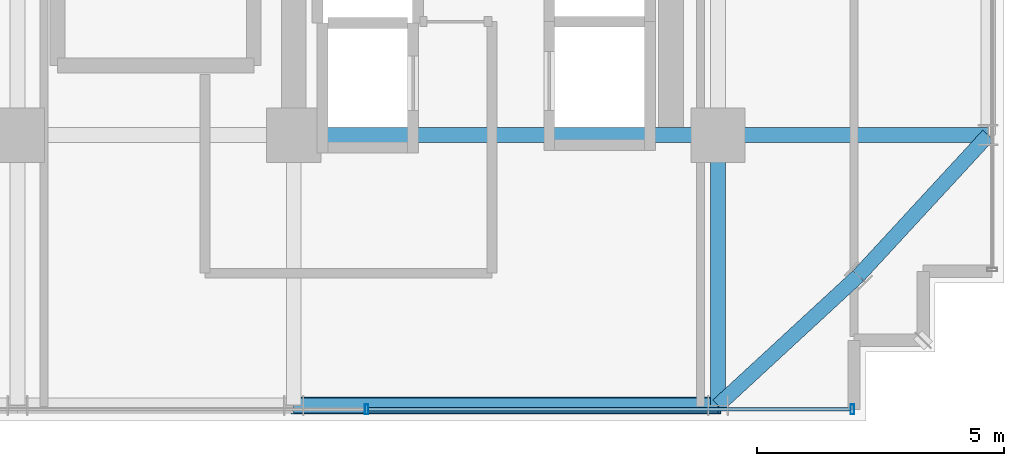
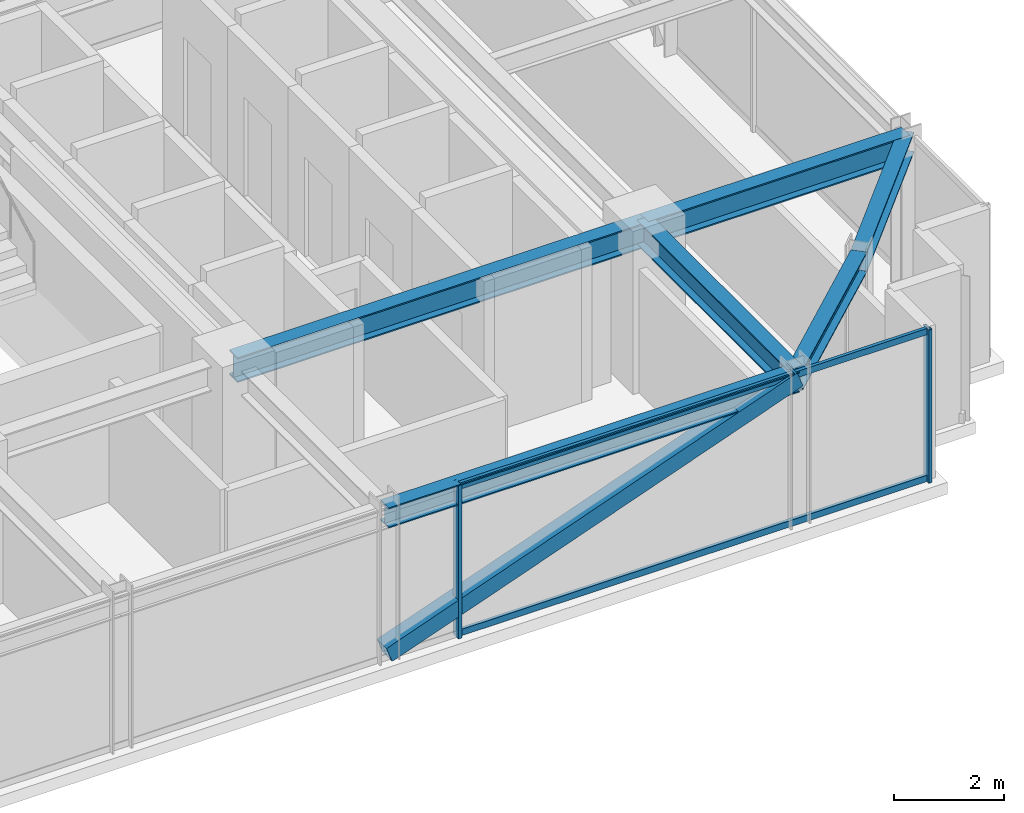
# One storey, part 14 of 43: 6 beams, 5 members, 1 element without a shape of its own.
"""IFC4 building model written with IfcOpenShell, lengths in metres."""

from ifc_helpers import new_model, si_unit, direction, frame, origin, origin_2d, place, context, subcontext, project, spatial, hollow_rectangle, i_section, extrude, source, transform, mapped, material, material_profile, profile_set, type_object, element, aggregate, save


model = new_model("IFC4")

# Units and contexts
model_context = context("Model", 3, precision=1e-05, world=origin(), true_north=direction((0.0, 1.0)))
body_context = subcontext(model_context, "Body", "Model", "MODEL_VIEW")
ifc_project = project(units=[si_unit("LENGTHUNIT", "METRE"), si_unit("AREAUNIT", "SQUARE_METRE"), si_unit("VOLUMEUNIT", "CUBIC_METRE"), si_unit("PLANEANGLEUNIT", "RADIAN"), si_unit("MASSUNIT", "GRAM", prefix="KILO")], contexts=[model_context])

# Site, building, storey
site_placement = place(None, origin())
site = spatial("IfcSite", under=ifc_project, at=site_placement, CompositionType="ELEMENT")
building_placement = place(site_placement, origin())
building = spatial("IfcBuilding", under=site, at=building_placement, Name="Nahalor Promenade Grand Hotel", CompositionType="ELEMENT")
storey_placement = place(building_placement, frame((0.0, 0.0, 181.85009765625)))
storey = spatial("IfcBuildingStorey", under=building, at=storey_placement, Name="L46", CompositionType="ELEMENT", Elevation=181.85009765625)

# Beams
ifc_material_1 = material(Name="Steel S355JR", Category="steel")
ifc_material_profile_1 = material_profile(ifc_material_1, i_section(OverallWidth=0.3, OverallDepth=0.55, WebThickness=0.015, FlangeThickness=0.029, at=origin_2d()), Name="HEB 550")
ifc_profile_set_1 = profile_set([ifc_material_profile_1], Name="Steel S355JR")
beam_type_1 = type_object("IfcBeamType", Name="Beam-Girder-HEB550", PredefinedType="BEAM", material=ifc_profile_set_1)
shared_shape_1 = source(origin(), body_context, "Body", "SweptSolid", [
    extrude(i_section(OverallWidth=0.3, OverallDepth=0.55, WebThickness=0.015, FlangeThickness=0.029, at=origin_2d()), origin(), (0.0, 0.0, 1.0), 8.60009765625),
])
beam_1_placement = place(storey_placement, frame((8.39990234375, -17.0, 3.114990234375), z_axis=(1.0, 0.0, 0.0), x_axis=(0.0, 1.0, 0.0)))
element("IfcBeam", 1, at=beam_1_placement, inside=storey, type_object=beam_type_1, Name="BM-L46-GX-0-5", PredefinedType="BEAM", context=body_context, shape_type="MappedRepresentation", body=[
    mapped(shared_shape_1, transform((0.0, 0.0, 0.0), scale=1.0)),
])
shared_shape_2 = source(origin(), body_context, "Body", "SweptSolid", [
    extrude(i_section(OverallWidth=0.3, OverallDepth=0.55, WebThickness=0.015, FlangeThickness=0.029, at=origin_2d()), origin(), (0.0, 0.0, 1.0), 5.47998046875),
])
for number, where, z_axis, x_axis, name in (
    (2, (17.0, -17.0, 3.114990234375), (1.0, 0.0, 0.0), (0.0, 1.0, 0.0), "BM-L46-GX-0-6"),
    (3, (17.0, -22.47998046875, 3.114990234375), (0.0, 1.0, 0.0), (-1.0, 0.0, 0.0), "BM-L46-GY-5-0"),
):
    element("IfcBeam", number, at=place(storey_placement, frame(where, z_axis=z_axis, x_axis=x_axis)), inside=storey, type_object=beam_type_1, Name=name, PredefinedType="BEAM", context=body_context, shape_type="MappedRepresentation", body=[
        mapped(shared_shape_2, transform((0.0, 0.0, 0.0), scale=1.0)),
    ])
ifc_material_profile_2 = material_profile(ifc_material_1, i_section(OverallWidth=0.3, OverallDepth=0.45, WebThickness=0.014, FlangeThickness=0.026, at=origin_2d()), Name="HEB 450")
ifc_profile_set_2 = profile_set([ifc_material_profile_2], Name="Steel S355JR")
beam_type_2 = type_object("IfcBeamType", Name="Beam-Spandrel-HEB450", PredefinedType="SPANDREL", material=ifc_profile_set_2)
shared_shape_3 = source(origin(), body_context, "Body", "SweptSolid", [
    extrude(i_section(OverallWidth=0.3, OverallDepth=0.45, WebThickness=0.014, FlangeThickness=0.026, at=origin_2d()), origin(), (0.0, 0.0, 1.0), 8.60009765625),
])
beam_2_placement = place(storey_placement, frame((8.39990234375, -22.47998046875, 3.164794921875), z_axis=(1.0, 0.0, 0.0), x_axis=(0.0, 1.0, 0.0)))
element("IfcBeam", 4, at=beam_2_placement, inside=storey, type_object=beam_type_2, Name="BM-L46-SP-S-4", PredefinedType="SPANDREL", context=body_context, shape_type="MappedRepresentation", body=[
    mapped(shared_shape_3, transform((0.0, 0.0, 0.0), scale=1.0)),
])
shared_shape_4 = source(origin(), body_context, "Body", "SweptSolid", [
    extrude(i_section(OverallWidth=0.3, OverallDepth=0.45, WebThickness=0.014, FlangeThickness=0.026, at=origin_2d()), origin(), (0.0, 0.0, 1.0), 3.878173828125),
])
for number, where, z_axis, x_axis, name in (
    (5, (17.0, -22.47998046875, 3.164794921875), (0.73492893846, 0.678144125843, 0.0), (-0.678144125843, 0.73492893846, 0.0), "BM-L46-SPC-SE-1"),
    (6, (19.85009765625, -19.85009765625, 3.164794921875), (0.678144125843, 0.73492893846, 0.0), (-0.73492893846, 0.678144125843, 0.0), "BM-L46-SPC-SE-2"),
):
    element("IfcBeam", number, at=place(storey_placement, frame(where, z_axis=z_axis, x_axis=x_axis)), inside=storey, type_object=beam_type_2, Name=name, PredefinedType="SPANDREL", context=body_context, shape_type="MappedRepresentation", body=[
        mapped(shared_shape_4, transform((0.0, 0.0, 0.0), scale=1.0)),
    ])

# Member
ifc_material_profile_3 = material_profile(ifc_material_1, hollow_rectangle(XDim=0.35, YDim=0.35, WallThickness=0.02, at=origin_2d()), Name="SHS 350x350x20")
ifc_profile_set_3 = profile_set([ifc_material_profile_3], Name="Steel S355JR")
member_type_1 = type_object("IfcMemberType", Name="Mem-VoidBrace-SHS350", PredefinedType="BRACE", material=ifc_profile_set_3)
shared_shape_5 = source(origin(), body_context, "Body", "SweptSolid", [
    extrude(hollow_rectangle(XDim=0.35, YDim=0.35, WallThickness=0.02, at=origin_2d()), origin(), (0.0, 0.0, 1.0), 9.138427734375),
])
member_1_placement = place(storey_placement, frame((8.39990234375, -22.47998046875, 0.14990234375), z_axis=(0.941094643271, 0.0, 0.338143272012), x_axis=(0.0, 1.0, 0.0)))
element("IfcMember", 7, at=member_1_placement, inside=storey, type_object=member_type_1, Name="EXO-L46-S-1", PredefinedType="BRACE", context=body_context, shape_type="MappedRepresentation", body=[
    mapped(shared_shape_5, transform((0.0, 0.0, 0.0), scale=1.0)),
])

# Curtain wall, members
ifc_material_2 = material(Name="Anodised Bronze Aluminium EN AW-6063 T6", Category="aluminium")
curtain_wall_type = type_object("IfcCurtainWallType", Name="CW3 Elliptical-Void Collar Unitised Curtain Wall", PredefinedType="USERDEFINED", material=ifc_material_2)
curtain_wall_placement = place(storey_placement, origin())
curtain_wall = element("IfcCurtainWall", 8, at=curtain_wall_placement, inside=storey, type_object=curtain_wall_type, Name="L46 Curtain Wall CW-L46-S-1", ObjectType="UNITISED_CURTAIN_WALL", PredefinedType="USERDEFINED")
ifc_material_profile_4 = material_profile(ifc_material_2, hollow_rectangle(XDim=0.07, YDim=0.14, WallThickness=0.004, at=origin_2d()), Name="CWT 70x140x4")
ifc_profile_set_4 = profile_set([ifc_material_profile_4], Name="Anodised Bronze Aluminium EN AW-6063 T6")
member_type_2 = type_object("IfcMemberType", Name="CWT3 Void Collar Transom 70x140", PredefinedType="USERDEFINED", material=ifc_profile_set_4)
shared_shape_6 = source(origin(), body_context, "Body", "SweptSolid", [
    extrude(hollow_rectangle(XDim=0.07, YDim=0.14, WallThickness=0.004, at=origin_2d()), origin(), (0.0, 0.0, 1.0), 9.77490234375),
])
member_2_placement = place(storey_placement, frame((9.9150390625, -22.56005859375, 0.06982421875), z_axis=(1.0, 0.0, 0.0), x_axis=(0.0, 1.0, 0.0)))
member_2 = element("IfcMember", 9, at=member_2_placement, type_object=member_type_2, Name="CW-L46-S-1 Transom 3-0", ObjectType="TRANSOM", PredefinedType="USERDEFINED", context=body_context, shape_type="MappedRepresentation", body=[
    mapped(shared_shape_6, transform((0.0, 0.0, 0.0), scale=1.0)),
])
member_3_placement = place(storey_placement, frame((9.9150390625, -22.56005859375, 3.31982421875), z_axis=(1.0, 0.0, 0.0), x_axis=(0.0, 1.0, 0.0)))
member_3 = element("IfcMember", 10, at=member_3_placement, type_object=member_type_2, Name="CW-L46-S-1 Transom 3-1", ObjectType="TRANSOM", PredefinedType="USERDEFINED", context=body_context, shape_type="MappedRepresentation", body=[
    mapped(shared_shape_6, transform((0.0, 0.0, 0.0), scale=1.0)),
])
ifc_material_profile_5 = material_profile(ifc_material_2, hollow_rectangle(XDim=0.07, YDim=0.2, WallThickness=0.005, at=origin_2d()), Name="CWM 70x200x5")
ifc_profile_set_5 = profile_set([ifc_material_profile_5], Name="Anodised Bronze Aluminium EN AW-6063 T6")
member_type_3 = type_object("IfcMemberType", Name="CWM3 Void Collar Mullion 70x200", PredefinedType="MULLION", material=ifc_profile_set_5)
shared_shape_7 = source(origin(), body_context, "Body", "SweptSolid", [
    extrude(hollow_rectangle(XDim=0.07, YDim=0.2, WallThickness=0.005, at=origin_2d()), origin(), (0.0, 0.0, 1.0), 3.389892578125),
])
member_4_placement = place(storey_placement, frame((9.8798828125, -22.56005859375, 0.0), z_axis=(0.0, 0.0, 1.0), x_axis=(1.0, 0.0, 0.0)))
member_4 = element("IfcMember", 11, at=member_4_placement, type_object=member_type_3, Name="CW-L46-S-1 Mullion 3", PredefinedType="MULLION", context=body_context, shape_type="MappedRepresentation", body=[
    mapped(shared_shape_7, transform((0.0, 0.0, 0.0), scale=1.0)),
])
member_5_placement = place(storey_placement, frame((19.72509765625, -22.56005859375, 0.0), z_axis=(0.0, 0.0, 1.0), x_axis=(1.0, 0.0, 0.0)))
member_5 = element("IfcMember", 12, at=member_5_placement, type_object=member_type_3, Name="CW-L46-S-1 Mullion 4", PredefinedType="MULLION", context=body_context, shape_type="MappedRepresentation", body=[
    mapped(shared_shape_7, transform((0.0, 0.0, 0.0), scale=1.0)),
])
aggregate(curtain_wall, [member_4, member_5, member_2, member_3])

save(model, "model.ifc")
